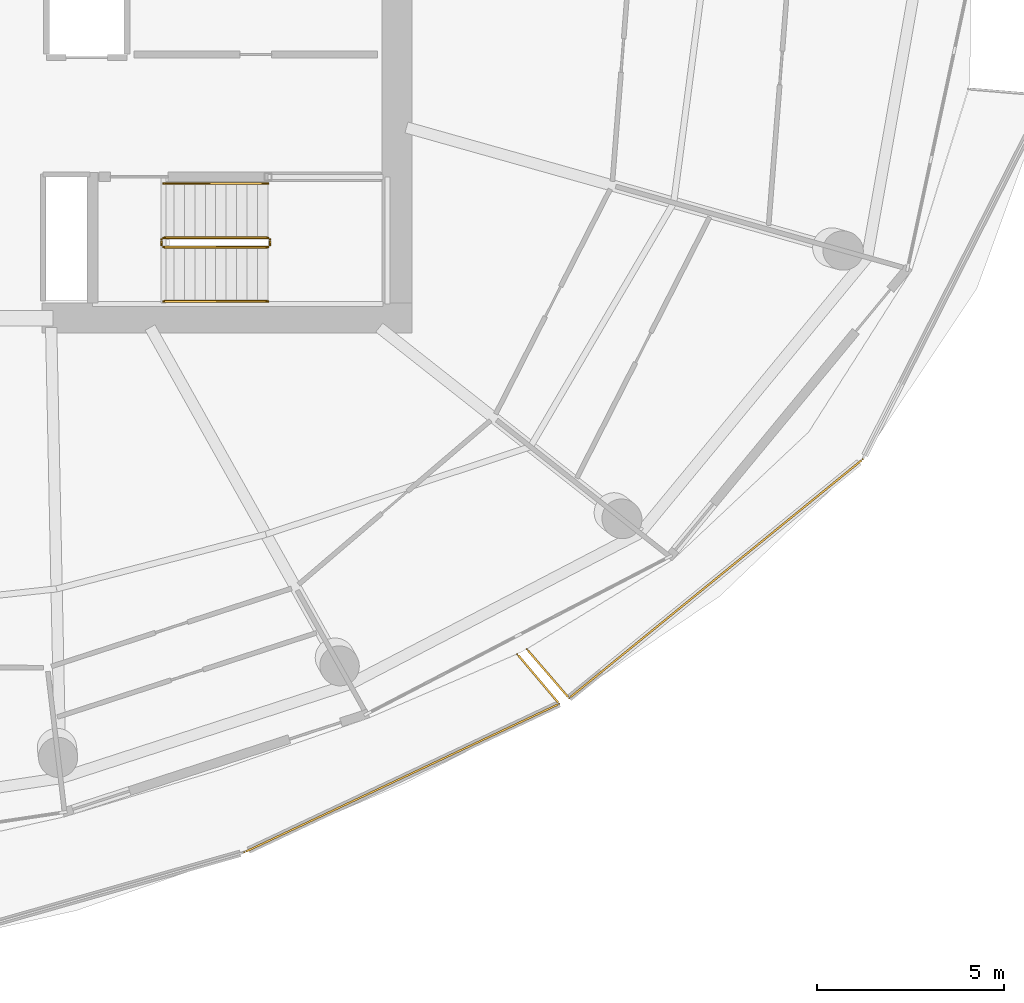
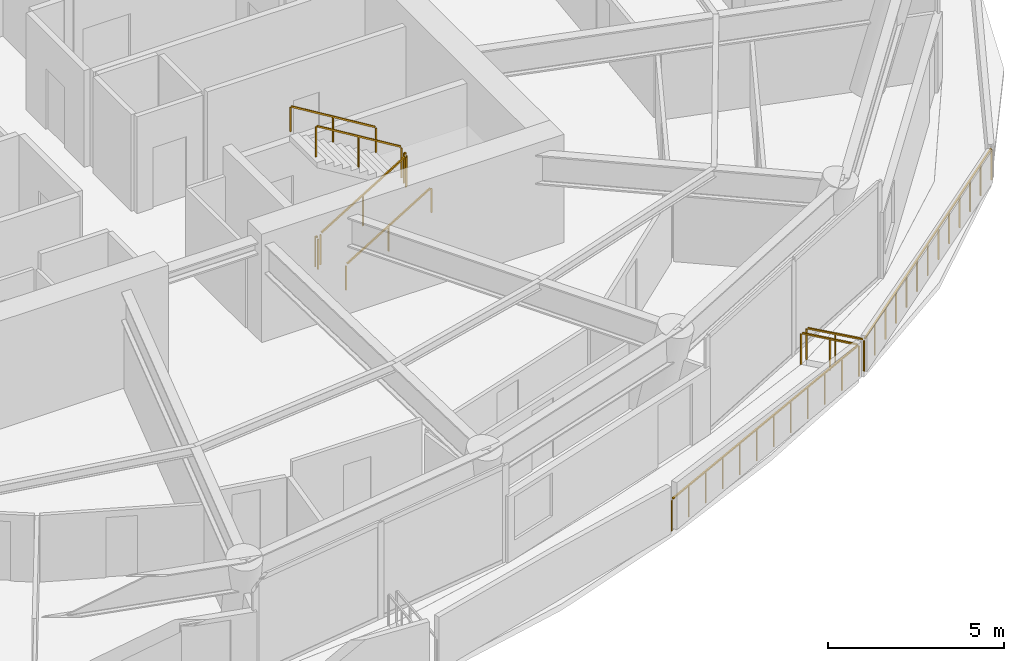
# One storey, part 17 of 19: 10 railings.
"""IFC4 building model written with IfcOpenShell, lengths in metres."""

from ifc_helpers import new_model, si_unit, direction, frame, origin, origin_2d, place, context, subcontext, project, spatial, rectangle, extrude, material, type_object, element, save


model = new_model("IFC4")

# Units and contexts
model_context = context("Model", 3, precision=1e-05, world=origin(), true_north=direction((0.0, 1.0)))
body_context = subcontext(model_context, "Body", "Model", "MODEL_VIEW")
ifc_project = project(units=[si_unit("LENGTHUNIT", "METRE"), si_unit("AREAUNIT", "SQUARE_METRE"), si_unit("VOLUMEUNIT", "CUBIC_METRE"), si_unit("PLANEANGLEUNIT", "RADIAN"), si_unit("MASSUNIT", "GRAM", prefix="KILO")], contexts=[model_context])

# Site, building, storey
site_placement = place(None, origin())
site = spatial("IfcSite", under=ifc_project, at=site_placement, CompositionType="ELEMENT")
building_placement = place(site_placement, origin())
building = spatial("IfcBuilding", under=site, at=building_placement, Name="Kazma Halo Residences", CompositionType="ELEMENT")
storey_placement = place(building_placement, frame((0.0, 0.0, 172.800048828125)))
storey = spatial("IfcBuildingStorey", under=building, at=storey_placement, Name="L43", CompositionType="ELEMENT", Elevation=172.800048828125)

# Railings
ifc_material_1 = material(Name="Aluminium AW-6063 T6 Brushed Cap Rail", Category="aluminium")
railing_type_1 = type_object("IfcRailingType", Name="RLG-BAL-CAP-1120", PredefinedType="BALUSTRADE", material=ifc_material_1)
railing_1_placement = place(storey_placement, frame((55.368896484375, 19.320556640625, 0.0)))
element("IfcRailing", 1, at=railing_1_placement, inside=storey, type_object=railing_type_1, Name="L43 SSE wave balcony guard 3", PredefinedType="BALUSTRADE", context=body_context, shape_type="SweptSolid", body=[
    extrude(rectangle(XDim=0.050048828125, YDim=0.050048828125, at=origin_2d()), frame((0.03857421875, 0.01806640625, 1.09521484375), z_axis=(0.904566410439, 0.426332744585, 0.0), x_axis=(-0.426332744585, 0.904566410439, 0.0)), (0.0, 0.0, 1.0), 9.219482421875),
    extrude(rectangle(XDim=0.0400390625, YDim=0.0400390625, at=origin_2d()), origin(), (0.0, 0.0, 1.0), 1.05810546875),
    extrude(rectangle(XDim=0.0400390625, YDim=0.0400390625, at=origin_2d()), frame((0.76513671875, 0.360595703125, 0.0)), (0.0, 0.0, 1.0), 1.05810546875),
    extrude(rectangle(XDim=0.0400390625, YDim=0.0400390625, at=origin_2d()), frame((1.5302734375, 0.72119140625, 0.0)), (0.0, 0.0, 1.0), 1.05810546875),
    extrude(rectangle(XDim=0.0400390625, YDim=0.0400390625, at=origin_2d()), frame((2.29541015625, 1.081787109375, 0.0)), (0.0, 0.0, 1.0), 1.05810546875),
    extrude(rectangle(XDim=0.0400390625, YDim=0.0400390625, at=origin_2d()), frame((3.060546875, 1.4423828125, 0.0)), (0.0, 0.0, 1.0), 1.05810546875),
    extrude(rectangle(XDim=0.0400390625, YDim=0.0400390625, at=origin_2d()), frame((3.82568359375, 1.802978515625, 0.0)), (0.0, 0.0, 1.0), 1.05810546875),
    extrude(rectangle(XDim=0.0400390625, YDim=0.0400390625, at=origin_2d()), frame((4.5908203125, 2.163818359375, 0.0)), (0.0, 0.0, 1.0), 1.05810546875),
    extrude(rectangle(XDim=0.0400390625, YDim=0.0400390625, at=origin_2d()), frame((5.35595703125, 2.5244140625, 0.0)), (0.0, 0.0, 1.0), 1.05810546875),
    extrude(rectangle(XDim=0.0400390625, YDim=0.0400390625, at=origin_2d()), frame((6.12109375, 2.885009765625, 0.0)), (0.0, 0.0, 1.0), 1.05810546875),
    extrude(rectangle(XDim=0.0400390625, YDim=0.0400390625, at=origin_2d()), frame((6.88623046875, 3.24560546875, 0.0)), (0.0, 0.0, 1.0), 1.05810546875),
    extrude(rectangle(XDim=0.0400390625, YDim=0.0400390625, at=origin_2d()), frame((7.6513671875, 3.606201171875, 0.0)), (0.0, 0.0, 1.0), 1.05810546875),
    extrude(rectangle(XDim=0.0400390625, YDim=0.0400390625, at=origin_2d()), frame((8.41650390625, 3.966796875, 0.0)), (0.0, 0.0, 1.0), 1.05810546875),
])
railing_2_placement = place(storey_placement, frame((63.785400390625, 23.287353515625, 0.0)))
element("IfcRailing", 2, at=railing_2_placement, inside=storey, type_object=railing_type_1, Name="L43 SSE wave balcony guard 4", PredefinedType="BALUSTRADE", context=body_context, shape_type="SweptSolid", body=[
    extrude(rectangle(XDim=0.050048828125, YDim=0.050048828125, at=origin_2d()), frame((-0.02734375, 0.032470703125, 1.09521484375), z_axis=(-0.644786588531, 0.764362646426, 0.0), x_axis=(-0.764362646426, -0.644786588531, 0.0)), (0.0, 0.0, 1.0), 1.658447265625),
    extrude(rectangle(XDim=0.0400390625, YDim=0.0400390625, at=origin_2d()), origin(), (0.0, 0.0, 1.0), 1.05810546875),
    extrude(rectangle(XDim=0.0400390625, YDim=0.0400390625, at=origin_2d()), frame((-0.56201171875, 0.66650390625, 0.0)), (0.0, 0.0, 1.0), 1.05810546875),
    extrude(rectangle(XDim=0.0400390625, YDim=0.0400390625, at=origin_2d()), frame((-1.124267578125, 1.332763671875, 0.0)), (0.0, 0.0, 1.0), 1.05810546875),
])
railing_3_placement = place(storey_placement, frame((62.91455078125, 24.751953125, 0.0)))
element("IfcRailing", 3, at=railing_3_placement, inside=storey, type_object=railing_type_1, Name="L43 SE wave balcony guard 1", PredefinedType="BALUSTRADE", context=body_context, shape_type="SweptSolid", body=[
    extrude(rectangle(XDim=0.050048828125, YDim=0.050048828125, at=origin_2d()), frame((0.02783203125, -0.0322265625, 1.09521484375), z_axis=(0.654008270682, -0.756487397039, 0.0), x_axis=(0.756487397039, 0.654008270682, 0.0)), (0.0, 0.0, 1.0), 1.649169921875),
    extrude(rectangle(XDim=0.0400390625, YDim=0.0400390625, at=origin_2d()), origin(), (0.0, 0.0, 1.0), 1.05810546875),
    extrude(rectangle(XDim=0.0400390625, YDim=0.0400390625, at=origin_2d()), frame((0.567138671875, -0.656005859375, 0.0)), (0.0, 0.0, 1.0), 1.05810546875),
    extrude(rectangle(XDim=0.0400390625, YDim=0.0400390625, at=origin_2d()), frame((1.13427734375, -1.31201171875, 0.0)), (0.0, 0.0, 1.0), 1.05810546875),
])
railing_4_placement = place(storey_placement, frame((64.048828125, 23.43994140625, 0.0)))
element("IfcRailing", 4, at=railing_4_placement, inside=storey, type_object=railing_type_1, Name="L43 SE wave balcony guard 2", PredefinedType="BALUSTRADE", context=body_context, shape_type="SweptSolid", body=[
    extrude(rectangle(XDim=0.050048828125, YDim=0.050048828125, at=origin_2d()), frame((0.032958984375, 0.02685546875, 1.09521484375), z_axis=(0.775869627128, 0.630893272829, 0.0), x_axis=(-0.630893272829, 0.775869627128, 0.0)), (0.0, 0.0, 1.0), 10.032470703125),
    extrude(rectangle(XDim=0.0400390625, YDim=0.0400390625, at=origin_2d()), origin(), (0.0, 0.0, 1.0), 1.05810546875),
    extrude(rectangle(XDim=0.0400390625, YDim=0.0400390625, at=origin_2d()), frame((0.654052734375, 0.531982421875, 0.0)), (0.0, 0.0, 1.0), 1.05810546875),
    extrude(rectangle(XDim=0.0400390625, YDim=0.0400390625, at=origin_2d()), frame((1.308349609375, 1.06396484375, 0.0)), (0.0, 0.0, 1.0), 1.05810546875),
    extrude(rectangle(XDim=0.0400390625, YDim=0.0400390625, at=origin_2d()), frame((1.96240234375, 1.595703125, 0.0)), (0.0, 0.0, 1.0), 1.05810546875),
    extrude(rectangle(XDim=0.0400390625, YDim=0.0400390625, at=origin_2d()), frame((2.61669921875, 2.127685546875, 0.0)), (0.0, 0.0, 1.0), 1.05810546875),
    extrude(rectangle(XDim=0.0400390625, YDim=0.0400390625, at=origin_2d()), frame((3.270751953125, 2.65966796875, 0.0)), (0.0, 0.0, 1.0), 1.05810546875),
    extrude(rectangle(XDim=0.0400390625, YDim=0.0400390625, at=origin_2d()), frame((3.9248046875, 3.19140625, 0.0)), (0.0, 0.0, 1.0), 1.05810546875),
    extrude(rectangle(XDim=0.0400390625, YDim=0.0400390625, at=origin_2d()), frame((4.5791015625, 3.723388671875, 0.0)), (0.0, 0.0, 1.0), 1.05810546875),
    extrude(rectangle(XDim=0.0400390625, YDim=0.0400390625, at=origin_2d()), frame((5.233154296875, 4.25537109375, 0.0)), (0.0, 0.0, 1.0), 1.05810546875),
    extrude(rectangle(XDim=0.0400390625, YDim=0.0400390625, at=origin_2d()), frame((5.887451171875, 4.787353515625, 0.0)), (0.0, 0.0, 1.0), 1.05810546875),
    extrude(rectangle(XDim=0.0400390625, YDim=0.0400390625, at=origin_2d()), frame((6.54150390625, 5.3193359375, 0.0)), (0.0, 0.0, 1.0), 1.05810546875),
    extrude(rectangle(XDim=0.0400390625, YDim=0.0400390625, at=origin_2d()), frame((7.19580078125, 5.85107421875, 0.0)), (0.0, 0.0, 1.0), 1.05810546875),
    extrude(rectangle(XDim=0.0400390625, YDim=0.0400390625, at=origin_2d()), frame((7.849853515625, 6.383056640625, 0.0)), (0.0, 0.0, 1.0), 1.05810546875),
])
ifc_material_2 = material(Name="Painted Steel S355", Category="steel")
railing_type_2 = type_object("IfcRailingType", Name="RLG-STAIR-GRD-1100", PredefinedType="GUARDRAIL", material=ifc_material_2)
railing_5_placement = place(storey_placement, frame((53.199951171875, 35.5, 0.17041015625)))
element("IfcRailing", 5, at=railing_5_placement, inside=storey, type_object=railing_type_2, Name="L43 ST-03 stair guard 1", PredefinedType="GUARDRAIL", context=body_context, shape_type="SweptSolid", body=[
    extrude(rectangle(XDim=0.050048828125, YDim=0.050048828125, at=origin_2d()), frame((0.036376953125, 0.0, 1.09716796875), z_axis=(0.854169791009, 0.0, 0.51999420009), x_axis=(0.0, 1.0, 0.0)), (0.0, 0.0, 1.0), 3.193115234375),
    extrude(rectangle(XDim=0.0400390625, YDim=0.0400390625, at=origin_2d()), origin(), (0.0, 0.0, 1.0), 1.0380859375),
    extrude(rectangle(XDim=0.0400390625, YDim=0.0400390625, at=origin_2d()), frame((1.39990234375, 0.0, 0.852294921875)), (0.0, 0.0, 1.0), 1.0380859375),
    extrude(rectangle(XDim=0.0400390625, YDim=0.0400390625, at=origin_2d()), frame((2.800048828125, 0.0, 1.70458984375)), (0.0, 0.0, 1.0), 1.0380859375),
])
railing_6_placement = place(storey_placement, frame((56.050048828125, 35.550048828125, 1.875)))
element("IfcRailing", 6, at=railing_6_placement, inside=storey, type_object=railing_type_2, Name="L43 ST-03 stair guard 2", PredefinedType="GUARDRAIL", context=body_context, shape_type="SweptSolid", body=[
    extrude(rectangle(XDim=0.050048828125, YDim=0.050048828125, at=origin_2d()), frame((0.0, 0.04248046875, 1.0751953125), z_axis=(0.0, 1.0, 0.0), x_axis=(-1.0, 0.0, 0.0)), (0.0, 0.0, 1.0), 0.06494140625),
    extrude(rectangle(XDim=0.0400390625, YDim=0.0400390625, at=origin_2d()), origin(), (0.0, 0.0, 1.0), 1.0380859375),
    extrude(rectangle(XDim=0.0400390625, YDim=0.0400390625, at=origin_2d()), frame((0.0, 0.14990234375, 0.0)), (0.0, 0.0, 1.0), 1.0380859375),
])
railing_7_placement = place(storey_placement, frame((56.0, 35.75, 2.04541015625)))
element("IfcRailing", 7, at=railing_7_placement, inside=storey, type_object=railing_type_2, Name="L43 ST-03 stair guard 3", PredefinedType="GUARDRAIL", context=body_context, shape_type="SweptSolid", body=[
    extrude(rectangle(XDim=0.050048828125, YDim=0.050048828125, at=origin_2d()), frame((-0.036376953125, 0.0, 1.09716796875), z_axis=(-0.854169791009, 0.0, 0.51999420009), x_axis=(0.0, -1.0, 0.0)), (0.0, 0.0, 1.0), 3.193115234375),
    extrude(rectangle(XDim=0.0400390625, YDim=0.0400390625, at=origin_2d()), origin(), (0.0, 0.0, 1.0), 1.0380859375),
    extrude(rectangle(XDim=0.0400390625, YDim=0.0400390625, at=origin_2d()), frame((-1.39990234375, 0.0, 0.852294921875)), (0.0, 0.0, 1.0), 1.0380859375),
    extrude(rectangle(XDim=0.0400390625, YDim=0.0400390625, at=origin_2d()), frame((-2.800048828125, 0.0, 1.70458984375)), (0.0, 0.0, 1.0), 1.0380859375),
])
railing_8_placement = place(storey_placement, frame((53.14990234375, 35.550048828125, 0.0)))
element("IfcRailing", 8, at=railing_8_placement, inside=storey, type_object=railing_type_2, Name="L43 ST-03 stair guard 4", PredefinedType="GUARDRAIL", context=body_context, shape_type="SweptSolid", body=[
    extrude(rectangle(XDim=0.050048828125, YDim=0.050048828125, at=origin_2d()), frame((0.0, 0.04248046875, 1.0751953125), z_axis=(0.0, 1.0, 0.0), x_axis=(-1.0, 0.0, 0.0)), (0.0, 0.0, 1.0), 0.06494140625),
    extrude(rectangle(XDim=0.0400390625, YDim=0.0400390625, at=origin_2d()), origin(), (0.0, 0.0, 1.0), 1.0380859375),
    extrude(rectangle(XDim=0.0400390625, YDim=0.0400390625, at=origin_2d()), frame((0.0, 0.14990234375, 0.0)), (0.0, 0.0, 1.0), 1.0380859375),
])
ifc_material_3 = material(Name="Brushed Stainless Steel", Category="steel")
railing_type_3 = type_object("IfcRailingType", Name="RLG-STAIR-HND-900", PredefinedType="HANDRAIL", material=ifc_material_3)
railing_9_placement = place(storey_placement, frame((53.199951171875, 34.050048828125, 0.17041015625)))
element("IfcRailing", 9, at=railing_9_placement, inside=storey, type_object=railing_type_3, Name="L43 ST-03 stair handrail 1", PredefinedType="HANDRAIL", context=body_context, shape_type="SweptSolid", body=[
    extrude(rectangle(XDim=0.050048828125, YDim=0.050048828125, at=origin_2d()), frame((0.036376953125, 0.0, 0.89697265625), z_axis=(0.854169791009, 0.0, 0.51999420009), x_axis=(0.0, 1.0, 0.0)), (0.0, 0.0, 1.0), 3.193115234375),
    extrude(rectangle(XDim=0.0400390625, YDim=0.0400390625, at=origin_2d()), origin(), (0.0, 0.0, 1.0), 0.837890625),
    extrude(rectangle(XDim=0.0400390625, YDim=0.0400390625, at=origin_2d()), frame((1.39990234375, 0.0, 0.852294921875)), (0.0, 0.0, 1.0), 0.837890625),
    extrude(rectangle(XDim=0.0400390625, YDim=0.0400390625, at=origin_2d()), frame((2.800048828125, 0.0, 1.70458984375)), (0.0, 0.0, 1.0), 0.837890625),
])
railing_10_placement = place(storey_placement, frame((56.0, 37.199951171875, 2.04541015625)))
element("IfcRailing", 10, at=railing_10_placement, inside=storey, type_object=railing_type_3, Name="L43 ST-03 stair handrail 2", PredefinedType="HANDRAIL", context=body_context, shape_type="SweptSolid", body=[
    extrude(rectangle(XDim=0.050048828125, YDim=0.050048828125, at=origin_2d()), frame((-0.036376953125, 0.0, 0.89697265625), z_axis=(-0.854169791009, 0.0, 0.51999420009), x_axis=(0.0, -1.0, 0.0)), (0.0, 0.0, 1.0), 3.193115234375),
    extrude(rectangle(XDim=0.0400390625, YDim=0.0400390625, at=origin_2d()), origin(), (0.0, 0.0, 1.0), 0.837890625),
    extrude(rectangle(XDim=0.0400390625, YDim=0.0400390625, at=origin_2d()), frame((-1.39990234375, 0.0, 0.852294921875)), (0.0, 0.0, 1.0), 0.837890625),
    extrude(rectangle(XDim=0.0400390625, YDim=0.0400390625, at=origin_2d()), frame((-2.800048828125, 0.0, 1.70458984375)), (0.0, 0.0, 1.0), 0.837890625),
])

save(model, "model.ifc")
